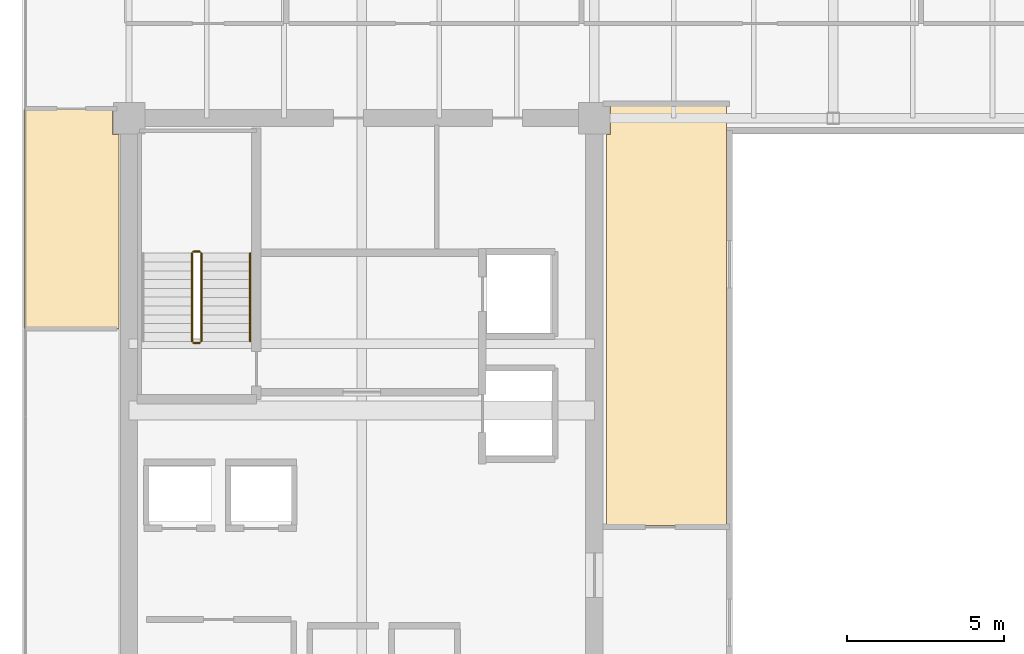
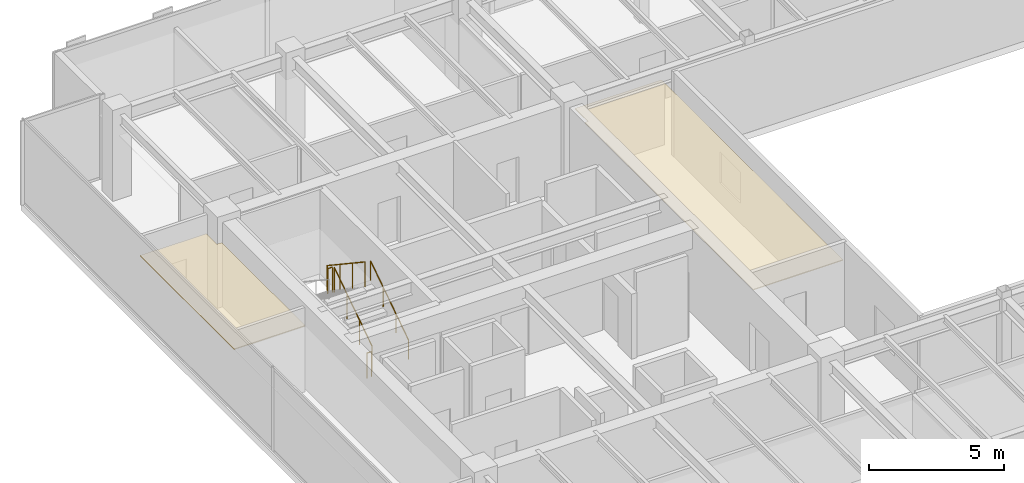
# One storey, part 33 of 35: 5 railings, 2 coverings.
"""IFC4 building model written with IfcOpenShell, lengths in metres."""

from ifc_helpers import new_model, si_unit, direction, frame, origin, origin_2d, place, context, subcontext, project, spatial, polyline, circle, outline, extrude, source, transform, mapped, material, layer, layer_set, type_object, type_shapes, element, save


model = new_model("IFC4")

# Units and contexts
model_context = context("Model", 3, precision=1e-05, world=origin(), true_north=direction((0.0, 1.0)))
body_context = subcontext(model_context, "Body", "Model", "MODEL_VIEW")
ifc_project = project(units=[si_unit("LENGTHUNIT", "METRE"), si_unit("AREAUNIT", "SQUARE_METRE"), si_unit("VOLUMEUNIT", "CUBIC_METRE"), si_unit("PLANEANGLEUNIT", "RADIAN"), si_unit("MASSUNIT", "GRAM", prefix="KILO")], contexts=[model_context])

# Site, building, storey
site_placement = place(None, origin())
site = spatial("IfcSite", under=ifc_project, at=site_placement, CompositionType="ELEMENT")
building_placement = place(site_placement, origin())
building = spatial("IfcBuilding", under=site, at=building_placement, Name="Haelvirn Gate Laboratories", CompositionType="ELEMENT")
storey_placement = place(building_placement, frame((0.0, 0.0, 201.39990234375)))
storey = spatial("IfcBuildingStorey", under=building, at=storey_placement, Name="L48", CompositionType="ELEMENT", Elevation=201.39990234375)

# Coverings
ifc_material_1 = material(Name="Micro-perforated acoustic mineral-fibre laboratory ceiling")
ifc_layer = layer(ifc_material_1, 0.0400390625, Name="COV-CEIL-ACT")
ifc_layer_set = layer_set([ifc_layer], Name="Micro-perforated acoustic mineral-fibre laboratory ceiling")
covering_type = type_object("IfcCoveringType", Name="COV-CEIL-ACT", PredefinedType="CEILING", material=ifc_layer_set)
covering_1_placement = place(storey_placement, frame((0.0, 0.0, 2.880126953125)))
element("IfcCovering", 1, at=covering_1_placement, inside=storey, type_object=covering_type, Name="L48 Laboratory Acoustic Ceiling CEIL-SP-L48-WATRIUM-POD", PredefinedType="CEILING", context=body_context, shape_type="SweptSolid", body=[
    extrude(outline(polyline([(26.409912109375, 34.239990234375), (26.409912109375, 20.840087890625), (22.590087890625, 20.840087890625), (22.590087890625, 33.280029296875), (22.719970703125, 33.280029296875), (22.719970703125, 34.239990234375), (26.409912109375, 34.239990234375)])), origin(), (0.0, 0.0, 1.0), 0.0400390625),
])
covering_2_placement = place(storey_placement, frame((0.0, 0.0, 2.880126953125)))
element("IfcCovering", 2, at=covering_2_placement, inside=storey, type_object=covering_type, Name="L48 Laboratory Acoustic Ceiling CEIL-SP-L48-WZ3-N", PredefinedType="CEILING", context=body_context, shape_type="SweptSolid", body=[
    extrude(outline(polyline([(6.8798828125, 34.074951171875), (6.8798828125, 33.280029296875), (7.080078125, 33.280029296875), (7.080078125, 27.110107421875), (4.050048828125, 27.110107421875), (4.050048828125, 34.074951171875), (6.8798828125, 34.074951171875)])), origin(), (0.0, 0.0, 1.0), 0.0400390625),
])

# Railings
ifc_material_2 = material(Name="Galvanised steel SM355 & stainless top rail", Category="steel")
railing_type_1 = type_object("IfcRailingType", Name="RL-GUARD-1150", PredefinedType="GUARDRAIL", material=ifc_material_2)
shared_shape_1 = source(origin(), body_context, "Body", "SweptSolid", [
    extrude(circle(Radius=0.02392578125, at=origin_2d()), frame((0.0, 0.0, 1.1259765625), z_axis=(-1.0, 0.0, 0.0), x_axis=(0.0, -1.0, 0.0)), (0.0, 0.0, 1.0), 0.199951171875),
    extrude(circle(Radius=0.02099609375, at=origin_2d()), origin(), (0.0, 0.0, 1.0), 1.101806640625),
    extrude(circle(Radius=0.02099609375, at=origin_2d()), frame((-0.199951171875, 0.0, 0.0)), (0.0, 0.0, 1.0), 1.101806640625),
])
for number, where, name in (
    (3, (9.64990234375, 29.550048828125, 2.050048828125), "L48 ST1 stair guard 2"),
    (4, (9.64990234375, 26.64990234375, 0.0), "L48 ST1 stair guard 4"),
):
    element("IfcRailing", number, at=place(storey_placement, frame(where)), inside=storey, type_object=railing_type_1, Name=name, PredefinedType="GUARDRAIL", context=body_context, shape_type="MappedRepresentation", body=[
        mapped(shared_shape_1, transform((0.0, 0.0, 0.0), scale=1.0)),
    ])
shared_shape_2 = source(origin(), body_context, "Body", "SweptSolid", [
    extrude(circle(Radius=0.02392578125, at=origin_2d()), frame((0.0, 0.0, 1.1259765625), z_axis=(0.0, 0.832485552168, 0.554046753832), x_axis=(-1.0, 0.0, 0.0)), (0.0, 0.0, 1.0), 3.363525390625),
    extrude(circle(Radius=0.02099609375, at=origin_2d()), origin(), (0.0, 0.0, 1.0), 1.101806640625),
    extrude(circle(Radius=0.02099609375, at=origin_2d()), frame((0.0, 0.933349609375, 0.62109375)), (0.0, 0.0, 1.0), 1.101806640625),
    extrude(circle(Radius=0.02099609375, at=origin_2d()), frame((0.0, 1.86669921875, 1.242431640625)), (0.0, 0.0, 1.0), 1.101806640625),
    extrude(circle(Radius=0.02099609375, at=origin_2d()), frame((0.0, 2.800048828125, 1.863525390625)), (0.0, 0.0, 1.0), 1.101806640625),
])
railing_1_placement = place(storey_placement, frame((9.699951171875, 26.699951171875, 0.1865234375)))
element("IfcRailing", 5, at=railing_1_placement, inside=storey, type_object=railing_type_1, Name="L48 ST1 stair guard 1", PredefinedType="GUARDRAIL", context=body_context, shape_type="MappedRepresentation", body=[
    mapped(shared_shape_2, transform((0.0, 0.0, 0.0), scale=1.0)),
])
ifc_material_3 = material(Name="Brushed stainless steel 316L", Category="steel")
railing_type_2 = type_object("IfcRailingType", Name="RL-HAND-920", PredefinedType="HANDRAIL", material=ifc_material_3)
shared_shape_3 = source(origin(), body_context, "Body", "SweptSolid", [
    extrude(circle(Radius=0.02392578125, at=origin_2d()), frame((0.0, 0.0, 0.8759765625), z_axis=(0.0, 0.832485552168, 0.554046753832), x_axis=(-1.0, 0.0, 0.0)), (0.0, 0.0, 1.0), 3.363525390625),
    extrude(circle(Radius=0.02099609375, at=origin_2d()), origin(), (0.0, 0.0, 1.0), 0.851806640625),
    extrude(circle(Radius=0.02099609375, at=origin_2d()), frame((0.0, 0.933349609375, 0.62109375)), (0.0, 0.0, 1.0), 0.851806640625),
    extrude(circle(Radius=0.02099609375, at=origin_2d()), frame((0.0, 1.86669921875, 1.242431640625)), (0.0, 0.0, 1.0), 0.851806640625),
    extrude(circle(Radius=0.02099609375, at=origin_2d()), frame((0.0, 2.800048828125, 1.863525390625)), (0.0, 0.0, 1.0), 0.851806640625),
])
type_shapes(railing_type_2, [shared_shape_3])
railing_2_placement = place(storey_placement, frame((11.25, 26.699951171875, 0.1865234375)))
element("IfcRailing", 6, at=railing_2_placement, inside=storey, type_object=railing_type_2, Name="L48 ST1 stair handrail 1", PredefinedType="HANDRAIL", context=body_context, shape_type="MappedRepresentation", body=[
    mapped(shared_shape_3, transform((0.0, 0.0, 0.0), scale=1.0)),
])
shared_shape_4 = source(origin(), body_context, "Body", "SweptSolid", [
    extrude(circle(Radius=0.02392578125, at=origin_2d()), frame((0.0, 0.0, 1.1259765625), z_axis=(0.0, -0.832485552168, 0.554046753832), x_axis=(1.0, 0.0, 0.0)), (0.0, 0.0, 1.0), 3.363525390625),
    extrude(circle(Radius=0.02099609375, at=origin_2d()), origin(), (0.0, 0.0, 1.0), 1.101806640625),
    extrude(circle(Radius=0.02099609375, at=origin_2d()), frame((0.0, -0.933349609375, 0.62109375)), (0.0, 0.0, 1.0), 1.101806640625),
    extrude(circle(Radius=0.02099609375, at=origin_2d()), frame((0.0, -1.86669921875, 1.242431640625)), (0.0, 0.0, 1.0), 1.101806640625),
    extrude(circle(Radius=0.02099609375, at=origin_2d()), frame((0.0, -2.800048828125, 1.863525390625)), (0.0, 0.0, 1.0), 1.101806640625),
])
type_shapes(railing_type_1, [shared_shape_1, shared_shape_2, shared_shape_4])
railing_3_placement = place(storey_placement, frame((9.39990234375, 29.5, 2.236572265625)))
element("IfcRailing", 7, at=railing_3_placement, inside=storey, type_object=railing_type_1, Name="L48 ST1 stair guard 3", PredefinedType="GUARDRAIL", context=body_context, shape_type="MappedRepresentation", body=[
    mapped(shared_shape_4, transform((0.0, 0.0, 0.0), scale=1.0)),
])

save(model, "model.ifc")
